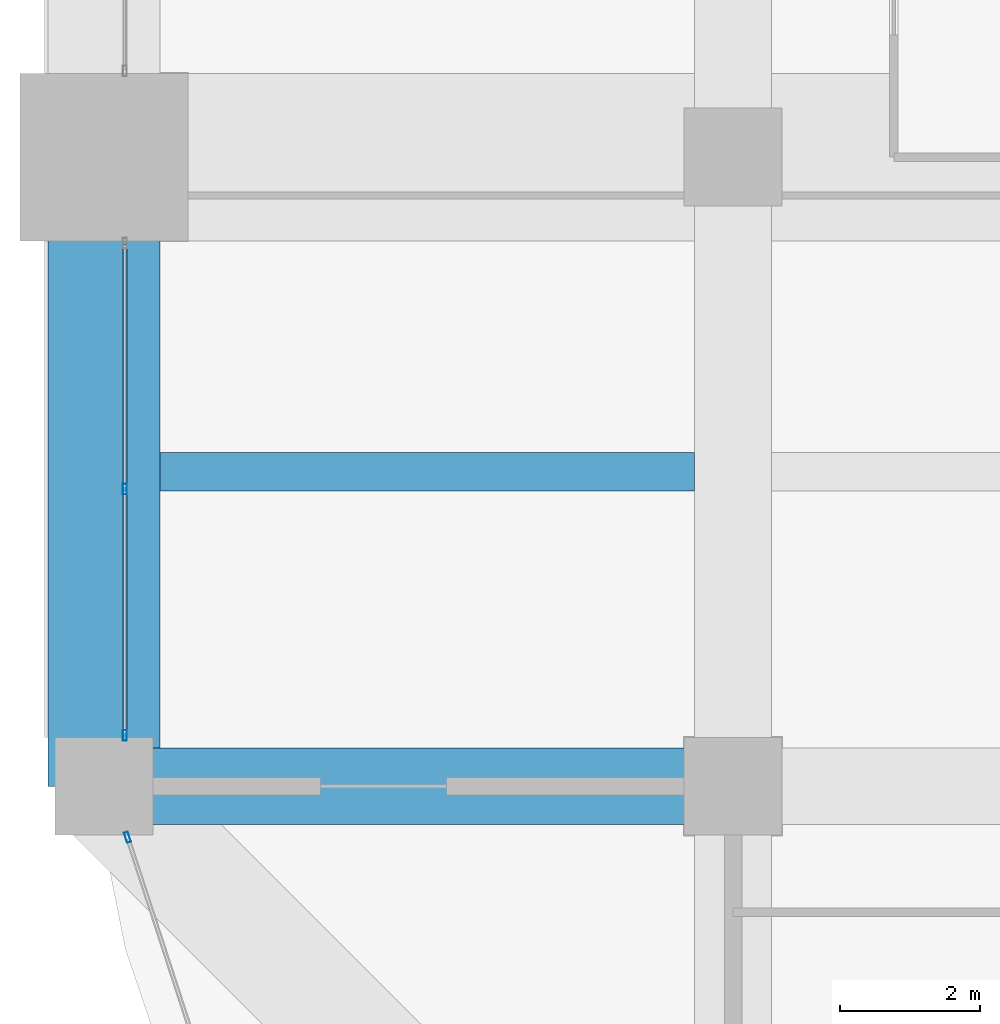
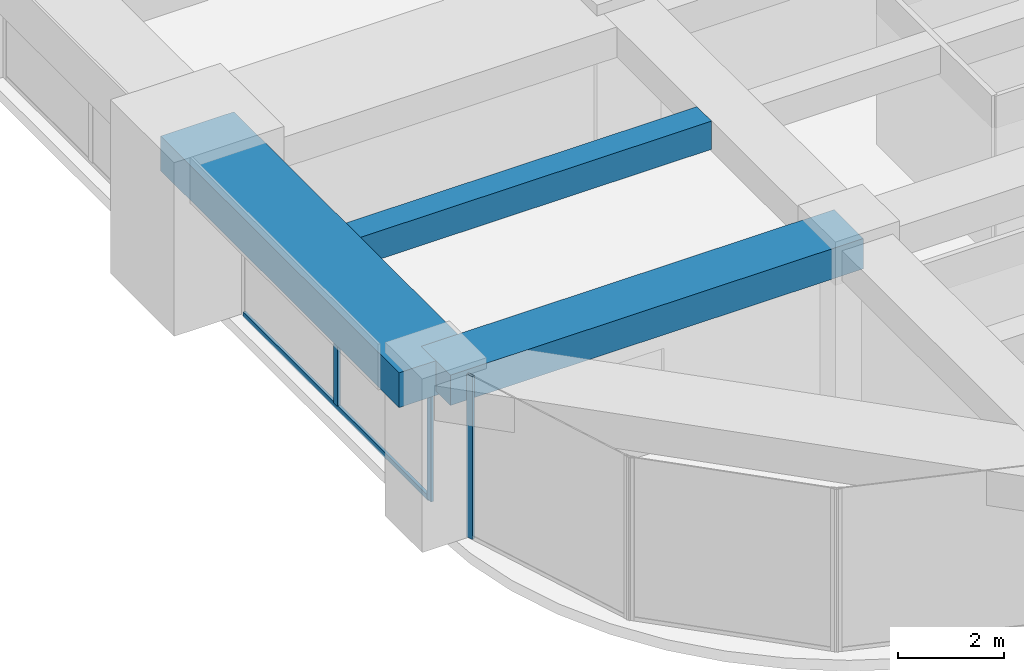
# One storey, part 4 of 34: 4 members, 3 beams, 2 elements without a shape of their own.
"""IFC4 building model written with IfcOpenShell, lengths in metres."""

from ifc_helpers import new_model, si_unit, direction, frame, origin, origin_2d, place, context, subcontext, project, spatial, rectangle, hollow_rectangle, extrude, material, material_profile, profile_set, type_object, element, aggregate, save


model = new_model("IFC4")

# Units and contexts
model_context = context("Model", 3, precision=1e-05, world=origin(), true_north=direction((0.0, 1.0)))
body_context = subcontext(model_context, "Body", "Model", "MODEL_VIEW")
ifc_project = project(units=[si_unit("LENGTHUNIT", "METRE"), si_unit("AREAUNIT", "SQUARE_METRE"), si_unit("VOLUMEUNIT", "CUBIC_METRE"), si_unit("PLANEANGLEUNIT", "RADIAN"), si_unit("MASSUNIT", "GRAM", prefix="KILO")], contexts=[model_context])

# Site, building, storey
site_placement = place(None, origin())
site = spatial("IfcSite", under=ifc_project, at=site_placement, CompositionType="ELEMENT")
building_placement = place(site_placement, origin())
building = spatial("IfcBuilding", under=site, at=building_placement, Name="Zorevar Civic Tower", CompositionType="ELEMENT")
storey_placement = place(building_placement, frame((0.0, 0.0, 226.199951171875)))
storey = spatial("IfcBuildingStorey", under=building, at=storey_placement, Name="L55", CompositionType="ELEMENT", Elevation=226.199951171875)

# Beams
ifc_material_1 = material(Name="Concrete C50/60", Category="concrete")
ifc_material_profile_1 = material_profile(ifc_material_1, rectangle(XDim=1.10009765625, YDim=0.699951171875, at=origin_2d()), Name="RC 1100x700")
ifc_profile_set_1 = profile_set([ifc_material_profile_1], Name="Concrete C50/60")
beam_type_1 = type_object("IfcBeamType", Name="Beam RC 1100x700", PredefinedType="BEAM", material=ifc_profile_set_1)
beam_1_placement = place(storey_placement, frame((0.0, 9.0, 3.400146484375), z_axis=(1.0, 0.0, 0.0), x_axis=(0.0, 1.0, 0.0)))
element("IfcBeam", 1, at=beam_1_placement, inside=storey, type_object=beam_type_1, Name="Girder L56", PredefinedType="BEAM", context=body_context, shape_type="SweptSolid", body=[
    extrude(rectangle(XDim=1.10009765625, YDim=0.699951171875, at=origin_2d()), origin(), (0.0, 0.0, 1.0), 9.0),
])
ifc_material_2 = material(Name="Concrete C50/60", Category="concrete")
ifc_material_profile_2 = material_profile(ifc_material_2, rectangle(XDim=0.550048828125, YDim=0.64990234375, at=origin_2d()), Name="RC 550x650")
ifc_profile_set_2 = profile_set([ifc_material_profile_2], Name="Concrete C50/60")
beam_type_2 = type_object("IfcBeamType", Name="Beam RC 550x650", PredefinedType="BEAM", material=ifc_profile_set_2)
beam_2_placement = place(storey_placement, frame((0.800048828125, 13.5, 3.425048828125), z_axis=(1.0, 0.0, 0.0), x_axis=(0.0, 1.0, 0.0)))
element("IfcBeam", 2, at=beam_2_placement, inside=storey, type_object=beam_type_2, Name="Secondary beam L56", PredefinedType="BEAM", context=body_context, shape_type="SweptSolid", body=[
    extrude(rectangle(XDim=0.550048828125, YDim=0.64990234375, at=origin_2d()), origin(), (0.0, 0.0, 1.0), 7.64990234375),
])

# Curtain wall, members
ifc_material_3 = material(Name="Dark grey solar-control glass in black aluminium frame", Category="aluminium")
curtain_wall_type = type_object("IfcCurtainWallType", Name="Curtain wall CW4 high zone", PredefinedType="NOTDEFINED", material=ifc_material_3)
curtain_wall_1_placement = place(storey_placement, origin())
curtain_wall_1 = element("IfcCurtainWall", 3, at=curtain_wall_1_placement, inside=storey, type_object=curtain_wall_type, Name="CW4 L55", PredefinedType="NOTDEFINED")
ifc_material_4 = material(Name="Aluminium, black anodised", Category="aluminium")
ifc_material_profile_3 = material_profile(ifc_material_4, hollow_rectangle(XDim=0.06005859375, YDim=0.14990234375, WallThickness=0.00390625, at=origin_2d()), Name="AL 150x60x4")
ifc_profile_set_3 = profile_set([ifc_material_profile_3], Name="Aluminium, black anodised")
member_type_1 = type_object("IfcMemberType", Name="CW4 mullion AL 150x60x4", PredefinedType="MULLION", material=ifc_profile_set_3)
member_1_placement = place(storey_placement, frame((0.300048828125, 9.72998046875, 0.0), z_axis=(0.0, 0.0, 1.0), x_axis=(-1.0, 0.0, 0.0)))
member_1 = element("IfcMember", 4, at=member_1_placement, type_object=member_type_1, Name="CW4 mullion 1", PredefinedType="MULLION", context=body_context, shape_type="SweptSolid", body=[
    extrude(hollow_rectangle(XDim=0.06005859375, YDim=0.14990234375, WallThickness=0.00390625, at=origin_2d()), origin(), (0.0, 0.0, 1.0), 2.949951171875),
])
member_2_placement = place(storey_placement, frame((0.300048828125, 13.25, 0.06005859375), z_axis=(0.0, 0.0, 1.0), x_axis=(-1.0, 0.0, 0.0)))
member_2 = element("IfcMember", 5, at=member_2_placement, type_object=member_type_1, Name="CW4 mullion 2", PredefinedType="MULLION", context=body_context, shape_type="SweptSolid", body=[
    extrude(hollow_rectangle(XDim=0.06005859375, YDim=0.14990234375, WallThickness=0.00390625, at=origin_2d()), origin(), (0.0, 0.0, 1.0), 2.889892578125),
])

# Curtain wall, member
curtain_wall_2_placement = place(storey_placement, origin())
curtain_wall_2 = element("IfcCurtainWall", 6, at=curtain_wall_2_placement, inside=storey, type_object=curtain_wall_type, Name="CW4 L55", PredefinedType="NOTDEFINED")
member_3_placement = place(storey_placement, frame((0.337646484375, 8.271484375, 0.0), z_axis=(0.0, 0.0, 1.0), x_axis=(0.950644749916, 0.310281419775, 0.0)))
member_3 = element("IfcMember", 7, at=member_3_placement, type_object=member_type_1, Name="CW4 mullion 1", PredefinedType="MULLION", context=body_context, shape_type="SweptSolid", body=[
    extrude(hollow_rectangle(XDim=0.06005859375, YDim=0.14990234375, WallThickness=0.00390625, at=origin_2d()), origin(), (0.0, 0.0, 1.0), 3.75),
])
aggregate(curtain_wall_2, [member_3])

# Member
ifc_material_5 = material(Name="Aluminium, black anodised", Category="aluminium")
ifc_material_profile_4 = material_profile(ifc_material_5, hollow_rectangle(XDim=0.06005859375, YDim=0.1201171875, WallThickness=0.0029296875, at=origin_2d()), Name="AL 120x60x3")
ifc_profile_set_4 = profile_set([ifc_material_profile_4], Name="Aluminium, black anodised")
member_type_2 = type_object("IfcMemberType", Name="CW4 transom AL 120x60x3", PredefinedType="USERDEFINED", material=ifc_profile_set_4)
member_4_placement = place(storey_placement, frame((0.300048828125, 9.760009765625, 0.030029296875), z_axis=(0.0, 1.0, 0.0), x_axis=(-1.0, 0.0, 0.0)))
member_4 = element("IfcMember", 8, at=member_4_placement, type_object=member_type_2, Name="CW4 sill transom", ObjectType="TRANSOM", PredefinedType="USERDEFINED", context=body_context, shape_type="SweptSolid", body=[
    extrude(hollow_rectangle(XDim=0.06005859375, YDim=0.1201171875, WallThickness=0.0029296875, at=origin_2d()), origin(), (0.0, 0.0, 1.0), 6.97998046875),
])

aggregate(curtain_wall_1, [member_1, member_2, member_4])

# Beam
ifc_material_6 = material(Name="Concrete C50/60", Category="concrete")
ifc_material_profile_5 = material_profile(ifc_material_6, rectangle(XDim=1.60009765625, YDim=0.800048828125, at=origin_2d()), Name="RC 1600x800")
ifc_profile_set_5 = profile_set([ifc_material_profile_5], Name="Concrete C50/60")
beam_type_3 = type_object("IfcBeamType", Name="Edge beam RC 1600x800", PredefinedType="SPANDREL", material=ifc_profile_set_5)
beam_3_placement = place(storey_placement, frame((0.0, 9.0, 3.35009765625), z_axis=(0.0, 1.0, 0.0), x_axis=(-1.0, 0.0, 0.0)))
element("IfcBeam", 9, at=beam_3_placement, inside=storey, type_object=beam_type_3, Name="Edge beam L56", PredefinedType="SPANDREL", context=body_context, shape_type="SweptSolid", body=[
    extrude(rectangle(XDim=1.60009765625, YDim=0.800048828125, at=origin_2d()), origin(), (0.0, 0.0, 1.0), 9.0),
])

save(model, "model.ifc")
